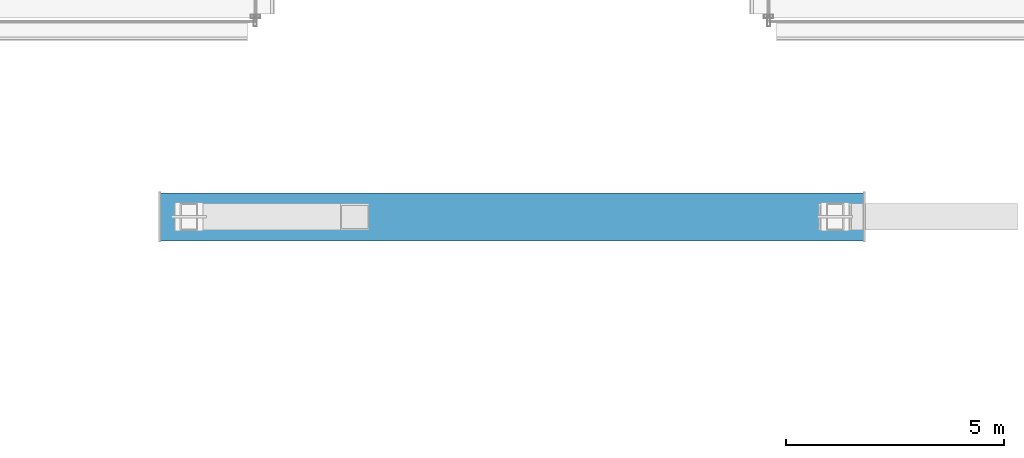
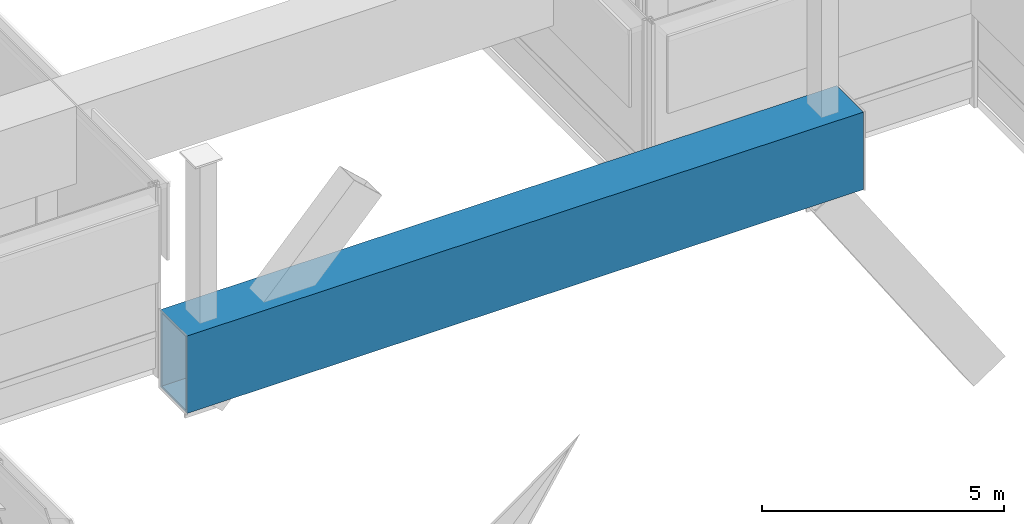
# One storey, part 5 of 42: 1 beam.
"""IFC4 building model written with IfcOpenShell, lengths in metres."""

from ifc_helpers import new_model, si_unit, direction, frame, origin, origin_2d, place, context, subcontext, project, spatial, hollow_rectangle, extrude, material, material_profile, profile_set, type_object, element, save


model = new_model("IFC4")

# Units and contexts
model_context = context("Model", 3, precision=1e-05, world=origin(), true_north=direction((0.0, 1.0)))
body_context = subcontext(model_context, "Body", "Model", "MODEL_VIEW")
ifc_project = project(units=[si_unit("LENGTHUNIT", "METRE"), si_unit("AREAUNIT", "SQUARE_METRE"), si_unit("VOLUMEUNIT", "CUBIC_METRE"), si_unit("PLANEANGLEUNIT", "RADIAN"), si_unit("MASSUNIT", "GRAM", prefix="KILO")], contexts=[model_context])

# Site, building, storey
site_placement = place(None, origin())
site = spatial("IfcSite", under=ifc_project, at=site_placement, CompositionType="ELEMENT")
building_placement = place(site_placement, origin())
building = spatial("IfcBuilding", under=site, at=building_placement, Name="Brelmoor Portico Tower", CompositionType="ELEMENT")
storey_placement = place(building_placement, frame((0.0, 0.0, 9.60009765625)))
storey = spatial("IfcBuildingStorey", under=building, at=storey_placement, Name="L02", CompositionType="ELEMENT", Elevation=9.60009765625)

# Beam
ifc_material = material(Name="Steel Q420B", Category="steel")
ifc_material_profile = material_profile(ifc_material, hollow_rectangle(XDim=1.10009765625, YDim=1.949951171875, WallThickness=0.054931640625, at=origin_2d()), Name="BOX 1100x1950x55")
ifc_profile_set = profile_set([ifc_material_profile], Name="Steel Q420B")
beam_type = type_object("IfcBeamType", Name="BM-TG-ARCH", PredefinedType="BEAM", material=ifc_profile_set)
beam_placement = place(storey_placement, frame((-8.050048828125, -18.050048828125, 3.60498046875), z_axis=(1.0, 0.0, 0.0), x_axis=(0.0, 1.0, 0.0)))
element("IfcBeam", 1, at=beam_placement, inside=storey, type_object=beam_type, Name="L02 Portico Arch Transfer Box Girder TG-ARCH-01", PredefinedType="BEAM", context=body_context, shape_type="SweptSolid", body=[
    extrude(hollow_rectangle(XDim=1.10009765625, YDim=1.949951171875, WallThickness=0.054931640625, at=origin_2d()), origin(), (0.0, 0.0, 1.0), 16.10009765625),
])

save(model, "model.ifc")
